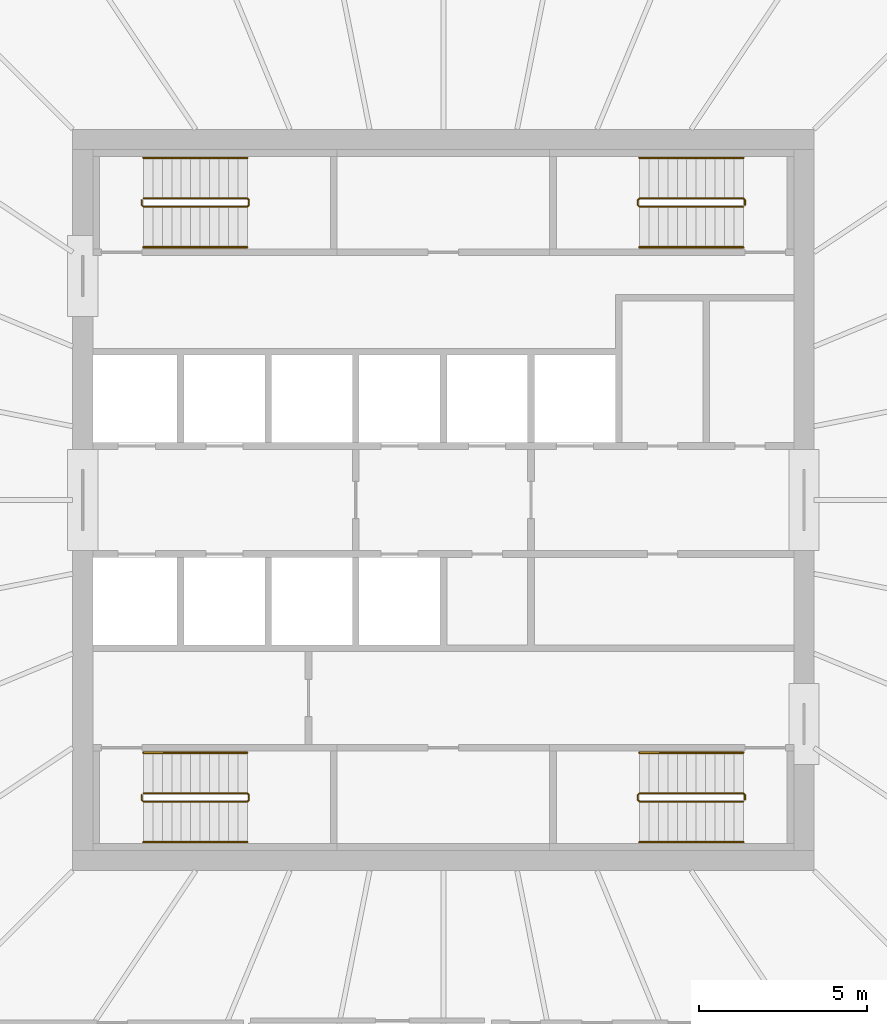
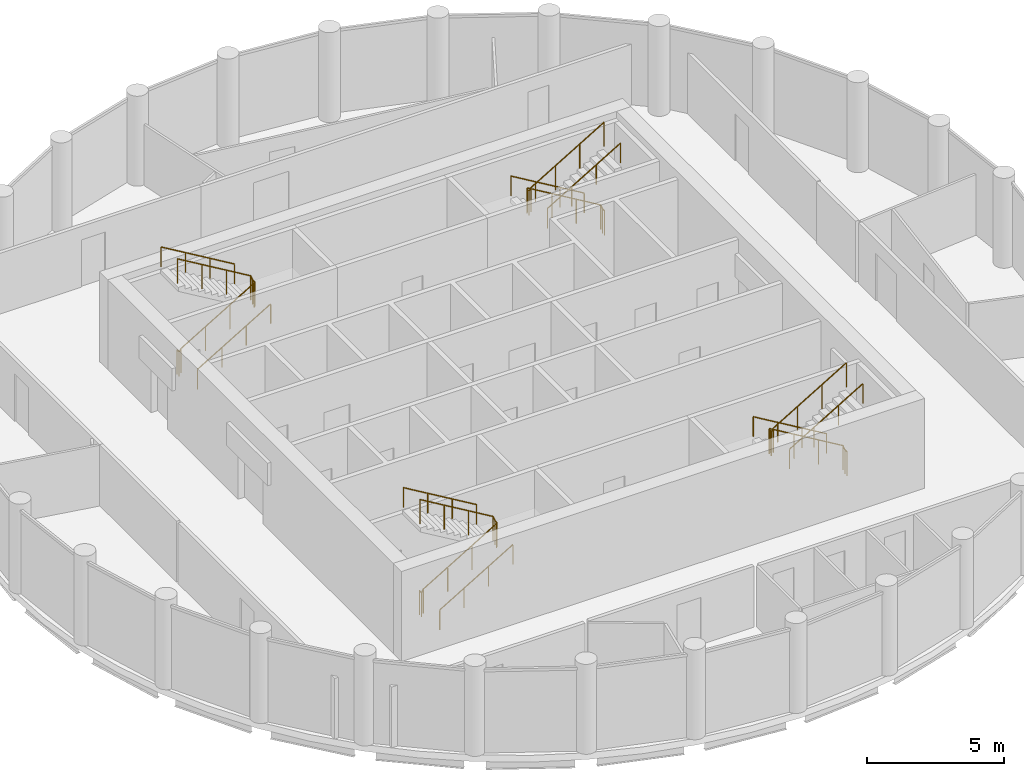
# One storey, part 7 of 7: 12 railings.
"""IFC4 building model written with IfcOpenShell, lengths in metres."""

from ifc_helpers import new_model, si_unit, direction, frame, origin, origin_2d, place, context, subcontext, project, spatial, circle, extrude, material, type_object, element, save


model = new_model("IFC4")

# Units and contexts
model_context = context("Model", 3, precision=1e-05, world=origin(), true_north=direction((0.0, 1.0)))
body_context = subcontext(model_context, "Body", "Model", "MODEL_VIEW")
ifc_project = project(units=[si_unit("LENGTHUNIT", "METRE"), si_unit("AREAUNIT", "SQUARE_METRE"), si_unit("VOLUMEUNIT", "CUBIC_METRE"), si_unit("PLANEANGLEUNIT", "RADIAN"), si_unit("MASSUNIT", "GRAM", prefix="KILO")], contexts=[model_context])

# Site, building, storey
site_placement = place(None, origin())
site = spatial("IfcSite", under=ifc_project, at=site_placement, CompositionType="ELEMENT")
building_placement = place(site_placement, origin())
building = spatial("IfcBuilding", under=site, at=building_placement, Name="Corvane Civic Tower", CompositionType="ELEMENT")
storey_placement = place(building_placement, frame((0.0, 0.0, 336.5)))
storey = spatial("IfcBuildingStorey", under=building, at=storey_placement, Name="L80", CompositionType="ELEMENT", Elevation=336.5)

# Railings
ifc_material_1 = material(Name="Steel ASTM A572 Gr 50", Category="steel")
railing_type_1 = type_object("IfcRailingType", Name="ST-GUARD-1100", PredefinedType="GUARDRAIL", material=ifc_material_1)
railing_1_placement = place(storey_placement, frame((8.949951171875, 8.75, 0.0)))
element("IfcRailing", 1, at=railing_1_placement, inside=storey, type_object=railing_type_1, Name="L80 ST1 stair guard 1", PredefinedType="GUARDRAIL", context=body_context, shape_type="SweptSolid", body=[
    extrude(circle(Radius=0.02392578125, at=origin_2d()), frame((0.0, 0.0, 1.076171875), z_axis=(0.0, 1.0, 0.0), x_axis=(-1.0, 0.0, 0.0)), (0.0, 0.0, 1.0), 0.14990234375),
    extrude(circle(Radius=0.02392578125, at=origin_2d()), frame((0.0, 0.14990234375, 1.076171875), z_axis=(-0.27628659633, 0.27628659633, 0.920506074601), x_axis=(-0.707106781187, -0.707106781187, 0.0)), (0.0, 0.0, 1.0), 0.18115234375),
    extrude(circle(Radius=0.02392578125, at=origin_2d()), frame((-0.050048828125, 0.199951171875, 1.24267578125), z_axis=(-0.859290745958, 0.0, 0.51148745235), x_axis=(0.0, -1.0, 0.0)), (0.0, 0.0, 1.0), 3.584228515625),
    extrude(circle(Radius=0.02392578125, at=origin_2d()), frame((-3.1298828125, 0.199951171875, 3.076171875), z_axis=(-0.707106781187, -0.707106781187, 0.0), x_axis=(0.707106781187, -0.707106781187, 0.0)), (0.0, 0.0, 1.0), 0.07080078125),
    extrude(circle(Radius=0.02392578125, at=origin_2d()), frame((-3.179931640625, 0.14990234375, 3.076171875), z_axis=(0.0, -1.0, 0.0), x_axis=(1.0, 0.0, 0.0)), (0.0, 0.0, 1.0), 0.14990234375),
    extrude(circle(Radius=0.02392578125, at=origin_2d()), frame((-3.179931640625, 0.0, 3.076171875), z_axis=(0.27628659633, -0.27628659633, 0.920506074601), x_axis=(0.707106781187, 0.707106781187, 0.0)), (0.0, 0.0, 1.0), 0.18115234375),
    extrude(circle(Radius=0.02392578125, at=origin_2d()), frame((-3.1298828125, -0.050048828125, 3.24267578125), z_axis=(0.859290745958, 0.0, 0.51148745235), x_axis=(0.0, 1.0, 0.0)), (0.0, 0.0, 1.0), 3.584228515625),
    extrude(circle(Radius=0.02099609375, at=origin_2d()), origin(), (0.0, 0.0, 1.0), 1.052001953125),
    extrude(circle(Radius=0.02099609375, at=origin_2d()), frame((0.0, 0.14990234375, 0.0)), (0.0, 0.0, 1.0), 1.052001953125),
    extrude(circle(Radius=0.02099609375, at=origin_2d()), frame((-0.050048828125, 0.199951171875, 0.166748046875)), (0.0, 0.0, 1.0), 1.052001953125),
    extrude(circle(Radius=0.02099609375, at=origin_2d()), frame((-1.07666015625, 0.199951171875, 0.77783203125)), (0.0, 0.0, 1.0), 1.052001953125),
    extrude(circle(Radius=0.02099609375, at=origin_2d()), frame((-2.103271484375, 0.199951171875, 1.388916015625)), (0.0, 0.0, 1.0), 1.052001953125),
    extrude(circle(Radius=0.02099609375, at=origin_2d()), frame((-3.1298828125, 0.199951171875, 2.0)), (0.0, 0.0, 1.0), 1.052001953125),
    extrude(circle(Radius=0.02099609375, at=origin_2d()), frame((-3.179931640625, 0.14990234375, 2.0)), (0.0, 0.0, 1.0), 1.052001953125),
    extrude(circle(Radius=0.02099609375, at=origin_2d()), frame((-3.179931640625, 0.0, 2.0)), (0.0, 0.0, 1.0), 1.052001953125),
    extrude(circle(Radius=0.02099609375, at=origin_2d()), frame((-3.1298828125, -0.050048828125, 2.166748046875)), (0.0, 0.0, 1.0), 1.052001953125),
    extrude(circle(Radius=0.02099609375, at=origin_2d()), frame((-2.103271484375, -0.050048828125, 2.77783203125)), (0.0, 0.0, 1.0), 1.052001953125),
    extrude(circle(Radius=0.02099609375, at=origin_2d()), frame((-1.07666015625, -0.050048828125, 3.388916015625)), (0.0, 0.0, 1.0), 1.052001953125),
    extrude(circle(Radius=0.02099609375, at=origin_2d()), frame((-0.050048828125, -0.050048828125, 4.0)), (0.0, 0.0, 1.0), 1.052001953125),
])
railing_2_placement = place(storey_placement, frame((8.949951171875, -8.89990234375, 0.0)))
element("IfcRailing", 2, at=railing_2_placement, inside=storey, type_object=railing_type_1, Name="L80 ST2 stair guard 1", PredefinedType="GUARDRAIL", context=body_context, shape_type="SweptSolid", body=[
    extrude(circle(Radius=0.02392578125, at=origin_2d()), frame((0.0, 0.0, 1.076171875), z_axis=(0.0, 1.0, 0.0), x_axis=(-1.0, 0.0, 0.0)), (0.0, 0.0, 1.0), 0.14990234375),
    extrude(circle(Radius=0.02392578125, at=origin_2d()), frame((0.0, 0.14990234375, 1.076171875), z_axis=(-0.27628659633, 0.27628659633, 0.920506074601), x_axis=(-0.707106781187, -0.707106781187, 0.0)), (0.0, 0.0, 1.0), 0.18115234375),
    extrude(circle(Radius=0.02392578125, at=origin_2d()), frame((-0.050048828125, 0.199951171875, 1.24267578125), z_axis=(-0.859290745958, 0.0, 0.51148745235), x_axis=(0.0, -1.0, 0.0)), (0.0, 0.0, 1.0), 3.584228515625),
    extrude(circle(Radius=0.02392578125, at=origin_2d()), frame((-3.1298828125, 0.199951171875, 3.076171875), z_axis=(-0.707106781187, -0.707106781187, 0.0), x_axis=(0.707106781187, -0.707106781187, 0.0)), (0.0, 0.0, 1.0), 0.07080078125),
    extrude(circle(Radius=0.02392578125, at=origin_2d()), frame((-3.179931640625, 0.14990234375, 3.076171875), z_axis=(0.0, -1.0, 0.0), x_axis=(1.0, 0.0, 0.0)), (0.0, 0.0, 1.0), 0.14990234375),
    extrude(circle(Radius=0.02392578125, at=origin_2d()), frame((-3.179931640625, 0.0, 3.076171875), z_axis=(0.27628659633, -0.27628659633, 0.920506074601), x_axis=(0.707106781187, 0.707106781187, 0.0)), (0.0, 0.0, 1.0), 0.18115234375),
    extrude(circle(Radius=0.02392578125, at=origin_2d()), frame((-3.1298828125, -0.050048828125, 3.24267578125), z_axis=(0.859290745958, 0.0, 0.51148745235), x_axis=(0.0, 1.0, 0.0)), (0.0, 0.0, 1.0), 3.584228515625),
    extrude(circle(Radius=0.02099609375, at=origin_2d()), origin(), (0.0, 0.0, 1.0), 1.052001953125),
    extrude(circle(Radius=0.02099609375, at=origin_2d()), frame((0.0, 0.14990234375, 0.0)), (0.0, 0.0, 1.0), 1.052001953125),
    extrude(circle(Radius=0.02099609375, at=origin_2d()), frame((-0.050048828125, 0.199951171875, 0.166748046875)), (0.0, 0.0, 1.0), 1.052001953125),
    extrude(circle(Radius=0.02099609375, at=origin_2d()), frame((-1.07666015625, 0.199951171875, 0.77783203125)), (0.0, 0.0, 1.0), 1.052001953125),
    extrude(circle(Radius=0.02099609375, at=origin_2d()), frame((-2.103271484375, 0.199951171875, 1.388916015625)), (0.0, 0.0, 1.0), 1.052001953125),
    extrude(circle(Radius=0.02099609375, at=origin_2d()), frame((-3.1298828125, 0.199951171875, 2.0)), (0.0, 0.0, 1.0), 1.052001953125),
    extrude(circle(Radius=0.02099609375, at=origin_2d()), frame((-3.179931640625, 0.14990234375, 2.0)), (0.0, 0.0, 1.0), 1.052001953125),
    extrude(circle(Radius=0.02099609375, at=origin_2d()), frame((-3.179931640625, 0.0, 2.0)), (0.0, 0.0, 1.0), 1.052001953125),
    extrude(circle(Radius=0.02099609375, at=origin_2d()), frame((-3.1298828125, -0.050048828125, 2.166748046875)), (0.0, 0.0, 1.0), 1.052001953125),
    extrude(circle(Radius=0.02099609375, at=origin_2d()), frame((-2.103271484375, -0.050048828125, 2.77783203125)), (0.0, 0.0, 1.0), 1.052001953125),
    extrude(circle(Radius=0.02099609375, at=origin_2d()), frame((-1.07666015625, -0.050048828125, 3.388916015625)), (0.0, 0.0, 1.0), 1.052001953125),
    extrude(circle(Radius=0.02099609375, at=origin_2d()), frame((-0.050048828125, -0.050048828125, 4.0)), (0.0, 0.0, 1.0), 1.052001953125),
])
railing_3_placement = place(storey_placement, frame((-8.949951171875, -8.75, 0.0)))
element("IfcRailing", 3, at=railing_3_placement, inside=storey, type_object=railing_type_1, Name="L80 ST3 stair guard 1", PredefinedType="GUARDRAIL", context=body_context, shape_type="SweptSolid", body=[
    extrude(circle(Radius=0.02392578125, at=origin_2d()), frame((0.0, 0.0, 1.076171875), z_axis=(0.0, -1.0, 0.0), x_axis=(1.0, 0.0, 0.0)), (0.0, 0.0, 1.0), 0.14990234375),
    extrude(circle(Radius=0.02392578125, at=origin_2d()), frame((0.0, -0.14990234375, 1.076171875), z_axis=(0.27628659633, -0.27628659633, 0.920506074601), x_axis=(0.707106781187, 0.707106781187, 0.0)), (0.0, 0.0, 1.0), 0.18115234375),
    extrude(circle(Radius=0.02392578125, at=origin_2d()), frame((0.050048828125, -0.199951171875, 1.24267578125), z_axis=(0.859290745958, 0.0, 0.51148745235), x_axis=(0.0, 1.0, 0.0)), (0.0, 0.0, 1.0), 3.584228515625),
    extrude(circle(Radius=0.02392578125, at=origin_2d()), frame((3.1298828125, -0.199951171875, 3.076171875), z_axis=(0.707106781187, 0.707106781187, 0.0), x_axis=(-0.707106781187, 0.707106781187, 0.0)), (0.0, 0.0, 1.0), 0.07080078125),
    extrude(circle(Radius=0.02392578125, at=origin_2d()), frame((3.179931640625, -0.14990234375, 3.076171875), z_axis=(0.0, 1.0, 0.0), x_axis=(-1.0, 0.0, 0.0)), (0.0, 0.0, 1.0), 0.14990234375),
    extrude(circle(Radius=0.02392578125, at=origin_2d()), frame((3.179931640625, 0.0, 3.076171875), z_axis=(-0.27628659633, 0.27628659633, 0.920506074601), x_axis=(-0.707106781187, -0.707106781187, 0.0)), (0.0, 0.0, 1.0), 0.18115234375),
    extrude(circle(Radius=0.02392578125, at=origin_2d()), frame((3.1298828125, 0.050048828125, 3.24267578125), z_axis=(-0.859290745958, 0.0, 0.51148745235), x_axis=(0.0, -1.0, 0.0)), (0.0, 0.0, 1.0), 3.584228515625),
    extrude(circle(Radius=0.02099609375, at=origin_2d()), origin(), (0.0, 0.0, 1.0), 1.052001953125),
    extrude(circle(Radius=0.02099609375, at=origin_2d()), frame((0.0, -0.14990234375, 0.0)), (0.0, 0.0, 1.0), 1.052001953125),
    extrude(circle(Radius=0.02099609375, at=origin_2d()), frame((0.050048828125, -0.199951171875, 0.166748046875)), (0.0, 0.0, 1.0), 1.052001953125),
    extrude(circle(Radius=0.02099609375, at=origin_2d()), frame((1.07666015625, -0.199951171875, 0.77783203125)), (0.0, 0.0, 1.0), 1.052001953125),
    extrude(circle(Radius=0.02099609375, at=origin_2d()), frame((2.103271484375, -0.199951171875, 1.388916015625)), (0.0, 0.0, 1.0), 1.052001953125),
    extrude(circle(Radius=0.02099609375, at=origin_2d()), frame((3.1298828125, -0.199951171875, 2.0)), (0.0, 0.0, 1.0), 1.052001953125),
    extrude(circle(Radius=0.02099609375, at=origin_2d()), frame((3.179931640625, -0.14990234375, 2.0)), (0.0, 0.0, 1.0), 1.052001953125),
    extrude(circle(Radius=0.02099609375, at=origin_2d()), frame((3.179931640625, 0.0, 2.0)), (0.0, 0.0, 1.0), 1.052001953125),
    extrude(circle(Radius=0.02099609375, at=origin_2d()), frame((3.1298828125, 0.050048828125, 2.166748046875)), (0.0, 0.0, 1.0), 1.052001953125),
    extrude(circle(Radius=0.02099609375, at=origin_2d()), frame((2.103271484375, 0.050048828125, 2.77783203125)), (0.0, 0.0, 1.0), 1.052001953125),
    extrude(circle(Radius=0.02099609375, at=origin_2d()), frame((1.07666015625, 0.050048828125, 3.388916015625)), (0.0, 0.0, 1.0), 1.052001953125),
    extrude(circle(Radius=0.02099609375, at=origin_2d()), frame((0.050048828125, 0.050048828125, 4.0)), (0.0, 0.0, 1.0), 1.052001953125),
])
railing_4_placement = place(storey_placement, frame((-8.949951171875, 8.89990234375, 0.0)))
element("IfcRailing", 4, at=railing_4_placement, inside=storey, type_object=railing_type_1, Name="L80 ST4 stair guard 1", PredefinedType="GUARDRAIL", context=body_context, shape_type="SweptSolid", body=[
    extrude(circle(Radius=0.02392578125, at=origin_2d()), frame((0.0, 0.0, 1.076171875), z_axis=(0.0, -1.0, 0.0), x_axis=(1.0, 0.0, 0.0)), (0.0, 0.0, 1.0), 0.14990234375),
    extrude(circle(Radius=0.02392578125, at=origin_2d()), frame((0.0, -0.14990234375, 1.076171875), z_axis=(0.27628659633, -0.27628659633, 0.920506074601), x_axis=(0.707106781187, 0.707106781187, 0.0)), (0.0, 0.0, 1.0), 0.18115234375),
    extrude(circle(Radius=0.02392578125, at=origin_2d()), frame((0.050048828125, -0.199951171875, 1.24267578125), z_axis=(0.859290745958, 0.0, 0.51148745235), x_axis=(0.0, 1.0, 0.0)), (0.0, 0.0, 1.0), 3.584228515625),
    extrude(circle(Radius=0.02392578125, at=origin_2d()), frame((3.1298828125, -0.199951171875, 3.076171875), z_axis=(0.707106781187, 0.707106781187, 0.0), x_axis=(-0.707106781187, 0.707106781187, 0.0)), (0.0, 0.0, 1.0), 0.07080078125),
    extrude(circle(Radius=0.02392578125, at=origin_2d()), frame((3.179931640625, -0.14990234375, 3.076171875), z_axis=(0.0, 1.0, 0.0), x_axis=(-1.0, 0.0, 0.0)), (0.0, 0.0, 1.0), 0.14990234375),
    extrude(circle(Radius=0.02392578125, at=origin_2d()), frame((3.179931640625, 0.0, 3.076171875), z_axis=(-0.27628659633, 0.27628659633, 0.920506074601), x_axis=(-0.707106781187, -0.707106781187, 0.0)), (0.0, 0.0, 1.0), 0.18115234375),
    extrude(circle(Radius=0.02392578125, at=origin_2d()), frame((3.1298828125, 0.050048828125, 3.24267578125), z_axis=(-0.859290745958, 0.0, 0.51148745235), x_axis=(0.0, -1.0, 0.0)), (0.0, 0.0, 1.0), 3.584228515625),
    extrude(circle(Radius=0.02099609375, at=origin_2d()), origin(), (0.0, 0.0, 1.0), 1.052001953125),
    extrude(circle(Radius=0.02099609375, at=origin_2d()), frame((0.0, -0.14990234375, 0.0)), (0.0, 0.0, 1.0), 1.052001953125),
    extrude(circle(Radius=0.02099609375, at=origin_2d()), frame((0.050048828125, -0.199951171875, 0.166748046875)), (0.0, 0.0, 1.0), 1.052001953125),
    extrude(circle(Radius=0.02099609375, at=origin_2d()), frame((1.07666015625, -0.199951171875, 0.77783203125)), (0.0, 0.0, 1.0), 1.052001953125),
    extrude(circle(Radius=0.02099609375, at=origin_2d()), frame((2.103271484375, -0.199951171875, 1.388916015625)), (0.0, 0.0, 1.0), 1.052001953125),
    extrude(circle(Radius=0.02099609375, at=origin_2d()), frame((3.1298828125, -0.199951171875, 2.0)), (0.0, 0.0, 1.0), 1.052001953125),
    extrude(circle(Radius=0.02099609375, at=origin_2d()), frame((3.179931640625, -0.14990234375, 2.0)), (0.0, 0.0, 1.0), 1.052001953125),
    extrude(circle(Radius=0.02099609375, at=origin_2d()), frame((3.179931640625, 0.0, 2.0)), (0.0, 0.0, 1.0), 1.052001953125),
    extrude(circle(Radius=0.02099609375, at=origin_2d()), frame((3.1298828125, 0.050048828125, 2.166748046875)), (0.0, 0.0, 1.0), 1.052001953125),
    extrude(circle(Radius=0.02099609375, at=origin_2d()), frame((2.103271484375, 0.050048828125, 2.77783203125)), (0.0, 0.0, 1.0), 1.052001953125),
    extrude(circle(Radius=0.02099609375, at=origin_2d()), frame((1.07666015625, 0.050048828125, 3.388916015625)), (0.0, 0.0, 1.0), 1.052001953125),
    extrude(circle(Radius=0.02099609375, at=origin_2d()), frame((0.050048828125, 0.050048828125, 4.0)), (0.0, 0.0, 1.0), 1.052001953125),
])
ifc_material_2 = material(Name="Steel ASTM A572 Gr 50", Category="steel")
railing_type_2 = type_object("IfcRailingType", Name="ST-HANDRAIL-900", PredefinedType="HANDRAIL", material=ifc_material_2)
railing_5_placement = place(storey_placement, frame((8.89990234375, 10.14990234375, 0.166748046875)))
element("IfcRailing", 5, at=railing_5_placement, inside=storey, type_object=railing_type_2, Name="L80 ST1 stair handrail 1", PredefinedType="HANDRAIL", context=body_context, shape_type="SweptSolid", body=[
    extrude(circle(Radius=0.02392578125, at=origin_2d()), frame((0.0, 0.0, 0.8759765625), z_axis=(-0.859290745958, 0.0, 0.51148745235), x_axis=(0.0, -1.0, 0.0)), (0.0, 0.0, 1.0), 3.584228515625),
    extrude(circle(Radius=0.02099609375, at=origin_2d()), origin(), (0.0, 0.0, 1.0), 0.851806640625),
    extrude(circle(Radius=0.02099609375, at=origin_2d()), frame((-1.026611328125, 0.0, 0.611083984375)), (0.0, 0.0, 1.0), 0.851806640625),
    extrude(circle(Radius=0.02099609375, at=origin_2d()), frame((-2.05322265625, 0.0, 1.22216796875)), (0.0, 0.0, 1.0), 0.851806640625),
    extrude(circle(Radius=0.02099609375, at=origin_2d()), frame((-3.079833984375, 0.0, 1.833251953125)), (0.0, 0.0, 1.0), 0.851806640625),
])
railing_6_placement = place(storey_placement, frame((5.820068359375, 7.5, 2.166748046875)))
element("IfcRailing", 6, at=railing_6_placement, inside=storey, type_object=railing_type_2, Name="L80 ST1 stair handrail 2", PredefinedType="HANDRAIL", context=body_context, shape_type="SweptSolid", body=[
    extrude(circle(Radius=0.02392578125, at=origin_2d()), frame((0.0, 0.0, 0.8759765625), z_axis=(0.859290745958, 0.0, 0.51148745235), x_axis=(0.0, 1.0, 0.0)), (0.0, 0.0, 1.0), 3.584228515625),
    extrude(circle(Radius=0.02099609375, at=origin_2d()), origin(), (0.0, 0.0, 1.0), 0.851806640625),
    extrude(circle(Radius=0.02099609375, at=origin_2d()), frame((1.026611328125, 0.0, 0.611083984375)), (0.0, 0.0, 1.0), 0.851806640625),
    extrude(circle(Radius=0.02099609375, at=origin_2d()), frame((2.05322265625, 0.0, 1.22216796875)), (0.0, 0.0, 1.0), 0.851806640625),
    extrude(circle(Radius=0.02099609375, at=origin_2d()), frame((3.079833984375, 0.0, 1.833251953125)), (0.0, 0.0, 1.0), 0.851806640625),
])
railing_7_placement = place(storey_placement, frame((8.89990234375, -7.5, 0.166748046875)))
element("IfcRailing", 7, at=railing_7_placement, inside=storey, type_object=railing_type_2, Name="L80 ST2 stair handrail 1", PredefinedType="HANDRAIL", context=body_context, shape_type="SweptSolid", body=[
    extrude(circle(Radius=0.02392578125, at=origin_2d()), frame((0.0, 0.0, 0.8759765625), z_axis=(-0.859290745958, 0.0, 0.51148745235), x_axis=(0.0, -1.0, 0.0)), (0.0, 0.0, 1.0), 3.584228515625),
    extrude(circle(Radius=0.02099609375, at=origin_2d()), origin(), (0.0, 0.0, 1.0), 0.851806640625),
    extrude(circle(Radius=0.02099609375, at=origin_2d()), frame((-1.026611328125, 0.0, 0.611083984375)), (0.0, 0.0, 1.0), 0.851806640625),
    extrude(circle(Radius=0.02099609375, at=origin_2d()), frame((-2.05322265625, 0.0, 1.22216796875)), (0.0, 0.0, 1.0), 0.851806640625),
    extrude(circle(Radius=0.02099609375, at=origin_2d()), frame((-3.079833984375, 0.0, 1.833251953125)), (0.0, 0.0, 1.0), 0.851806640625),
])
for number, where, name in (
    (8, (5.820068359375, -10.14990234375, 2.166748046875), "L80 ST2 stair handrail 2"),
    (9, (-8.89990234375, -10.14990234375, 0.166748046875), "L80 ST3 stair handrail 1"),
):
    element("IfcRailing", number, at=place(storey_placement, frame(where)), inside=storey, type_object=railing_type_2, Name=name, PredefinedType="HANDRAIL", context=body_context, shape_type="SweptSolid", body=[
        extrude(circle(Radius=0.02392578125, at=origin_2d()), frame((0.0, 0.0, 0.8759765625), z_axis=(0.859290745958, 0.0, 0.51148745235), x_axis=(0.0, 1.0, 0.0)), (0.0, 0.0, 1.0), 3.584228515625),
        extrude(circle(Radius=0.02099609375, at=origin_2d()), origin(), (0.0, 0.0, 1.0), 0.851806640625),
        extrude(circle(Radius=0.02099609375, at=origin_2d()), frame((1.026611328125, 0.0, 0.611083984375)), (0.0, 0.0, 1.0), 0.851806640625),
        extrude(circle(Radius=0.02099609375, at=origin_2d()), frame((2.05322265625, 0.0, 1.22216796875)), (0.0, 0.0, 1.0), 0.851806640625),
        extrude(circle(Radius=0.02099609375, at=origin_2d()), frame((3.079833984375, 0.0, 1.833251953125)), (0.0, 0.0, 1.0), 0.851806640625),
    ])
railing_8_placement = place(storey_placement, frame((-5.820068359375, -7.5, 2.166748046875)))
element("IfcRailing", 10, at=railing_8_placement, inside=storey, type_object=railing_type_2, Name="L80 ST3 stair handrail 2", PredefinedType="HANDRAIL", context=body_context, shape_type="SweptSolid", body=[
    extrude(circle(Radius=0.02392578125, at=origin_2d()), frame((0.0, 0.0, 0.8759765625), z_axis=(-0.859290745958, 0.0, 0.51148745235), x_axis=(0.0, -1.0, 0.0)), (0.0, 0.0, 1.0), 3.584228515625),
    extrude(circle(Radius=0.02099609375, at=origin_2d()), origin(), (0.0, 0.0, 1.0), 0.851806640625),
    extrude(circle(Radius=0.02099609375, at=origin_2d()), frame((-1.026611328125, 0.0, 0.611083984375)), (0.0, 0.0, 1.0), 0.851806640625),
    extrude(circle(Radius=0.02099609375, at=origin_2d()), frame((-2.05322265625, 0.0, 1.22216796875)), (0.0, 0.0, 1.0), 0.851806640625),
    extrude(circle(Radius=0.02099609375, at=origin_2d()), frame((-3.079833984375, 0.0, 1.833251953125)), (0.0, 0.0, 1.0), 0.851806640625),
])
railing_9_placement = place(storey_placement, frame((-8.89990234375, 7.5, 0.166748046875)))
element("IfcRailing", 11, at=railing_9_placement, inside=storey, type_object=railing_type_2, Name="L80 ST4 stair handrail 1", PredefinedType="HANDRAIL", context=body_context, shape_type="SweptSolid", body=[
    extrude(circle(Radius=0.02392578125, at=origin_2d()), frame((0.0, 0.0, 0.8759765625), z_axis=(0.859290745958, 0.0, 0.51148745235), x_axis=(0.0, 1.0, 0.0)), (0.0, 0.0, 1.0), 3.584228515625),
    extrude(circle(Radius=0.02099609375, at=origin_2d()), origin(), (0.0, 0.0, 1.0), 0.851806640625),
    extrude(circle(Radius=0.02099609375, at=origin_2d()), frame((1.026611328125, 0.0, 0.611083984375)), (0.0, 0.0, 1.0), 0.851806640625),
    extrude(circle(Radius=0.02099609375, at=origin_2d()), frame((2.05322265625, 0.0, 1.22216796875)), (0.0, 0.0, 1.0), 0.851806640625),
    extrude(circle(Radius=0.02099609375, at=origin_2d()), frame((3.079833984375, 0.0, 1.833251953125)), (0.0, 0.0, 1.0), 0.851806640625),
])
railing_10_placement = place(storey_placement, frame((-5.820068359375, 10.14990234375, 2.166748046875)))
element("IfcRailing", 12, at=railing_10_placement, inside=storey, type_object=railing_type_2, Name="L80 ST4 stair handrail 2", PredefinedType="HANDRAIL", context=body_context, shape_type="SweptSolid", body=[
    extrude(circle(Radius=0.02392578125, at=origin_2d()), frame((0.0, 0.0, 0.8759765625), z_axis=(-0.859290745958, 0.0, 0.51148745235), x_axis=(0.0, -1.0, 0.0)), (0.0, 0.0, 1.0), 3.584228515625),
    extrude(circle(Radius=0.02099609375, at=origin_2d()), origin(), (0.0, 0.0, 1.0), 0.851806640625),
    extrude(circle(Radius=0.02099609375, at=origin_2d()), frame((-1.026611328125, 0.0, 0.611083984375)), (0.0, 0.0, 1.0), 0.851806640625),
    extrude(circle(Radius=0.02099609375, at=origin_2d()), frame((-2.05322265625, 0.0, 1.22216796875)), (0.0, 0.0, 1.0), 0.851806640625),
    extrude(circle(Radius=0.02099609375, at=origin_2d()), frame((-3.079833984375, 0.0, 1.833251953125)), (0.0, 0.0, 1.0), 0.851806640625),
])

save(model, "model.ifc")
